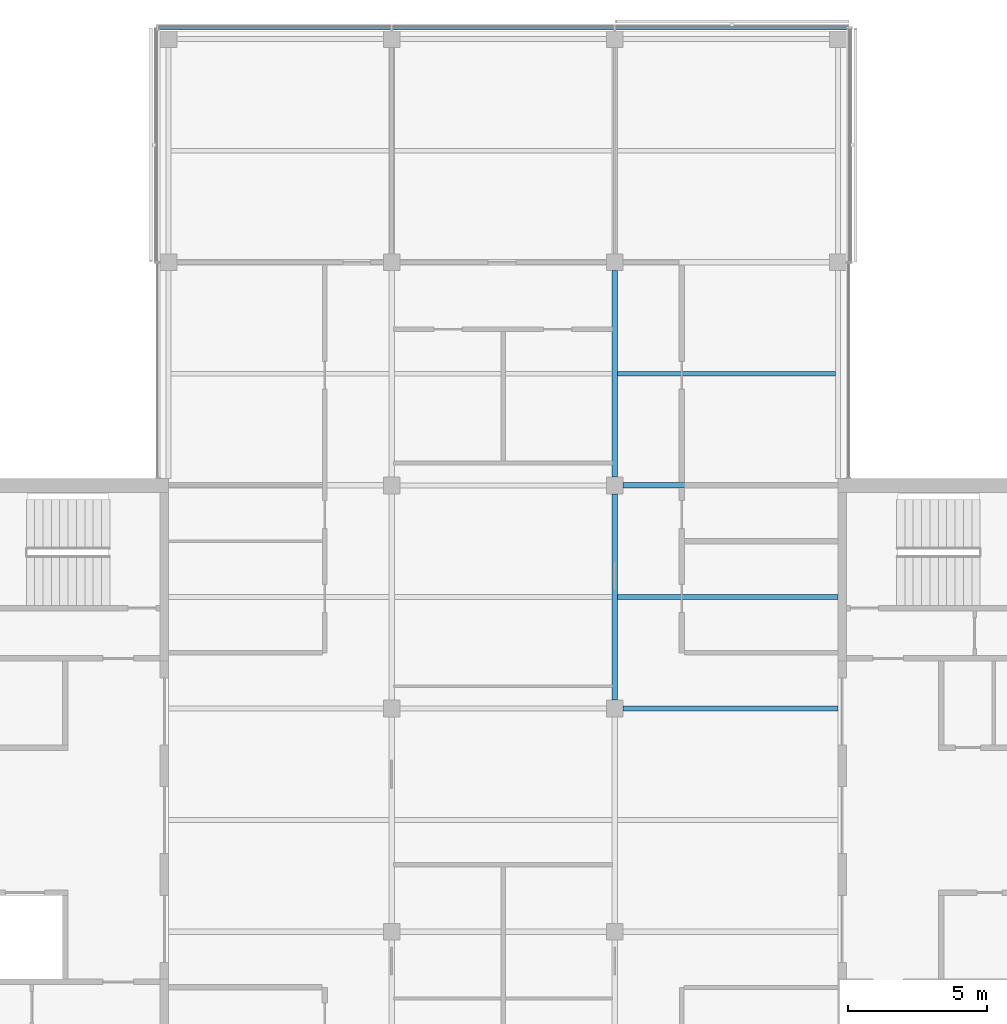
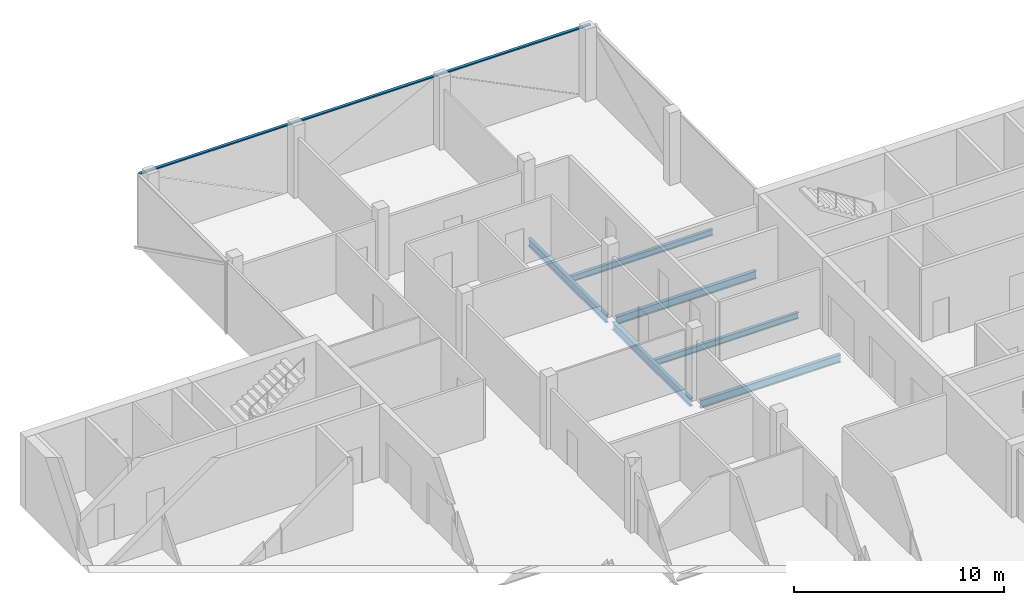
# One storey, part 6 of 16: 6 beams, 1 member, 1 element without a shape of its own.
"""IFC4 building model written with IfcOpenShell, lengths in metres."""

from ifc_helpers import new_model, si_unit, direction, frame, origin, origin_2d, place, context, subcontext, project, spatial, rectangle, i_section, extrude, material, material_profile, profile_set, type_object, element, aggregate, save


model = new_model("IFC4")

# Units and contexts
model_context = context("Model", 3, precision=1e-05, world=origin(), true_north=direction((0.0, 1.0)))
body_context = subcontext(model_context, "Body", "Model", "MODEL_VIEW")
ifc_project = project(units=[si_unit("LENGTHUNIT", "METRE"), si_unit("AREAUNIT", "SQUARE_METRE"), si_unit("VOLUMEUNIT", "CUBIC_METRE"), si_unit("PLANEANGLEUNIT", "RADIAN"), si_unit("MASSUNIT", "GRAM", prefix="KILO")], contexts=[model_context])

# Site, building, storey
site_placement = place(None, origin())
site = spatial("IfcSite", under=ifc_project, at=site_placement, CompositionType="ELEMENT")
building_placement = place(site_placement, origin())
building = spatial("IfcBuilding", under=site, at=building_placement, Name="Crosswind Convention Tower", CompositionType="ELEMENT")
storey_placement = place(building_placement, frame((0.0, 0.0, 340.699951171875)))
storey = spatial("IfcBuildingStorey", under=building, at=storey_placement, Name="L74", CompositionType="ELEMENT", Elevation=340.699951171875)

# Beams
ifc_material_1 = material(Name="Steel S355", Category="steel")
ifc_material_profile_1 = material_profile(ifc_material_1, i_section(OverallWidth=0.18994140625, OverallDepth=0.45361328125, WebThickness=0.008544921875, FlangeThickness=0.0126953125, FilletRadius=0.01025390625, at=origin_2d()), Name="UB 457x191x67")
ifc_profile_set_1 = profile_set([ifc_material_profile_1], Name="Steel S355")
beam_type_1 = type_object("IfcBeamType", Name="Girder UB 457x191x67", PredefinedType="BEAM", material=ifc_profile_set_1)
for number, where, z_axis, x_axis, name in (
    (1, (129.0, 104.300048828125, -0.52685546875), (0.0, 1.0, 0.0), (-1.0, 0.0, 0.0), "B1 L74 girder 20"),
    (2, (129.0, 112.300048828125, -0.52685546875), (0.0, 1.0, 0.0), (-1.0, 0.0, 0.0), "B1 L74 girder 21"),
):
    element("IfcBeam", number, at=place(storey_placement, frame(where, z_axis=z_axis, x_axis=x_axis)), inside=storey, type_object=beam_type_1, Name=name, PredefinedType="BEAM", context=body_context, shape_type="SweptSolid", body=[
        extrude(i_section(OverallWidth=0.18994140625, OverallDepth=0.45361328125, WebThickness=0.008544921875, FlangeThickness=0.0126953125, FilletRadius=0.01025390625, at=origin_2d()), origin(), (0.0, 0.0, 1.0), 7.39990234375),
    ])
ifc_material_profile_2 = material_profile(ifc_material_1, i_section(OverallWidth=0.1904296875, OverallDepth=0.457275390625, WebThickness=0.009033203125, FlangeThickness=0.014404296875, FilletRadius=0.01025390625, at=origin_2d()), Name="UB 457x191x75")
ifc_profile_set_2 = profile_set([ifc_material_profile_2], Name="Steel S355")
beam_type_2 = type_object("IfcBeamType", Name="Girder at core wall UB 457x191x75", PredefinedType="BEAM", material=ifc_profile_set_2)
for number, where, z_axis, x_axis, name in (
    (3, (129.300048828125, 104.0, -0.528564453125), (1.0, 0.0, 0.0), (0.0, 1.0, 0.0), "B22 L74 girder at core wall 7"),
    (4, (129.300048828125, 112.0, -0.528564453125), (1.0, 0.0, 0.0), (0.0, 1.0, 0.0), "B22 L74 girder at core wall 8"),
):
    element("IfcBeam", number, at=place(storey_placement, frame(where, z_axis=z_axis, x_axis=x_axis)), inside=storey, type_object=beam_type_2, Name=name, PredefinedType="BEAM", context=body_context, shape_type="SweptSolid", body=[
        extrude(i_section(OverallWidth=0.1904296875, OverallDepth=0.457275390625, WebThickness=0.009033203125, FlangeThickness=0.014404296875, FilletRadius=0.01025390625, at=origin_2d()), origin(), (0.0, 0.0, 1.0), 7.699951171875),
    ])
ifc_material_profile_3 = material_profile(ifc_material_1, i_section(OverallWidth=0.17138671875, OverallDepth=0.355712890625, WebThickness=0.00732421875, FlangeThickness=0.011474609375, FilletRadius=0.01025390625, at=origin_2d()), Name="UB 356x171x51")
ifc_profile_set_3 = profile_set([ifc_material_profile_3], Name="Steel S355")
beam_type_3 = type_object("IfcBeamType", Name="Secondary beam UB 356x171x51", PredefinedType="JOIST", material=ifc_profile_set_3)
beam_1_placement = place(storey_placement, frame((129.094970703125, 108.0, -0.477783203125), z_axis=(1.0, 0.0, 0.0), x_axis=(0.0, 1.0, 0.0)))
element("IfcBeam", 5, at=beam_1_placement, inside=storey, type_object=beam_type_3, Name="B8 L74 secondary beam 19", PredefinedType="JOIST", context=body_context, shape_type="SweptSolid", body=[
    extrude(i_section(OverallWidth=0.17138671875, OverallDepth=0.355712890625, WebThickness=0.00732421875, FlangeThickness=0.011474609375, FilletRadius=0.01025390625, at=origin_2d()), origin(), (0.0, 0.0, 1.0), 7.905029296875),
])
beam_2_placement = place(storey_placement, frame((129.094970703125, 116.0, -0.477783203125), z_axis=(1.0, 0.0, 0.0), x_axis=(0.0, 1.0, 0.0)))
element("IfcBeam", 6, at=beam_2_placement, inside=storey, type_object=beam_type_3, Name="B8 L74 secondary beam 20", PredefinedType="JOIST", context=body_context, shape_type="SweptSolid", body=[
    extrude(i_section(OverallWidth=0.17138671875, OverallDepth=0.355712890625, WebThickness=0.00732421875, FlangeThickness=0.011474609375, FilletRadius=0.01025390625, at=origin_2d()), origin(), (0.0, 0.0, 1.0), 7.816162109375),
])

# Curtain wall, member
ifc_material_2 = material(Name="Aluminium unitised curtain wall", Category="aluminium")
curtain_wall_type = type_object("IfcCurtainWallType", Name="OFFICE UNITISED WALL 220", PredefinedType="USERDEFINED", material=ifc_material_2)
curtain_wall_placement = place(storey_placement, origin())
curtain_wall = element("IfcCurtainWall", 7, at=curtain_wall_placement, inside=storey, type_object=curtain_wall_type, Name="CW3 L74 N-TIP 1", ObjectType="UNITISED", PredefinedType="USERDEFINED")
ifc_material_3 = material(Name="Aluminium transom", Category="aluminium")
ifc_material_profile_4 = material_profile(ifc_material_3, rectangle(XDim=0.159912109375, YDim=0.070068359375, at=origin_2d()), Name="AL 160X70")
ifc_profile_set_4 = profile_set([ifc_material_profile_4], Name="Aluminium transom")
member_type = type_object("IfcMemberType", Name="TRANSOM 70X160", PredefinedType="USERDEFINED", material=ifc_profile_set_4)
member_placement = place(storey_placement, frame((137.375, 128.409912109375, 3.864990234375), z_axis=(-1.0, 0.0, 0.0), x_axis=(0.0, -1.0, 0.0)))
member = element("IfcMember", 8, at=member_placement, type_object=member_type, Name="CW3 transom", ObjectType="TRANSOM", PredefinedType="USERDEFINED", context=body_context, shape_type="SweptSolid", body=[
    extrude(rectangle(XDim=0.159912109375, YDim=0.070068359375, at=origin_2d()), origin(), (0.0, 0.0, 1.0), 24.75),
])
aggregate(curtain_wall, [member])

save(model, "model.ifc")
